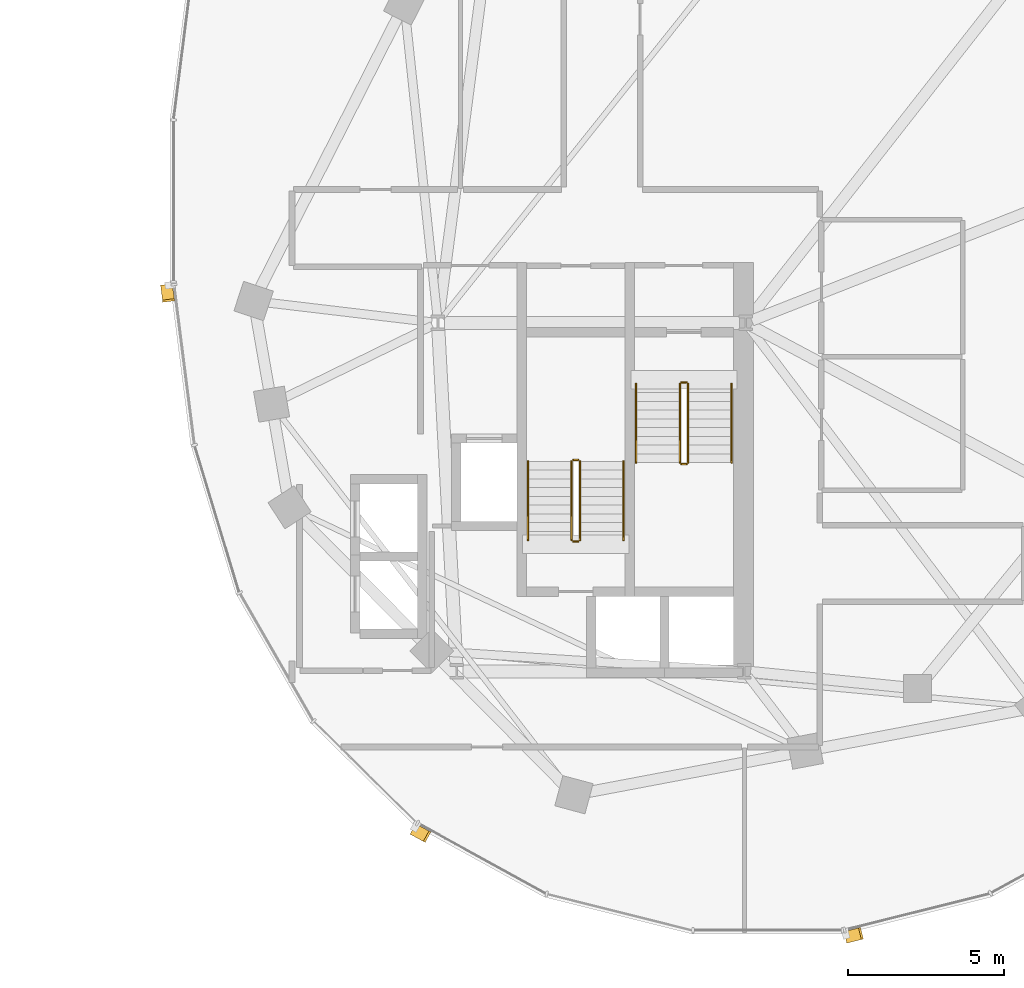
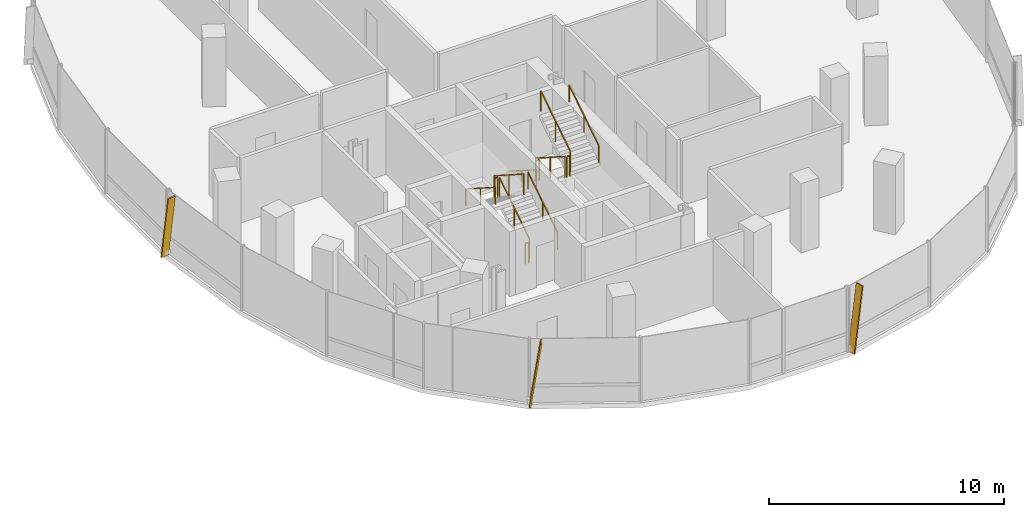
# One storey, part 20 of 21: 12 railings, 3 shading devices.
"""IFC4 building model written with IfcOpenShell, lengths in metres."""

from ifc_helpers import new_model, si_unit, direction, frame, origin, origin_2d, place, context, subcontext, project, spatial, rectangle, extrude, material, material_profile, profile_set, type_object, element, save


model = new_model("IFC4")

# Units and contexts
model_context = context("Model", 3, precision=1e-05, world=origin(), true_north=direction((0.0, 1.0)))
body_context = subcontext(model_context, "Body", "Model", "MODEL_VIEW")
ifc_project = project(units=[si_unit("LENGTHUNIT", "METRE"), si_unit("AREAUNIT", "SQUARE_METRE"), si_unit("VOLUMEUNIT", "CUBIC_METRE"), si_unit("PLANEANGLEUNIT", "RADIAN"), si_unit("MASSUNIT", "GRAM", prefix="KILO"), si_unit("THERMODYNAMICTEMPERATUREUNIT", "KELVIN"), si_unit("POWERUNIT", "WATT")], contexts=[model_context])

# Site, building, storey
site_placement = place(None, origin())
site = spatial("IfcSite", under=ifc_project, at=site_placement, CompositionType="ELEMENT")
building_placement = place(site_placement, origin())
building = spatial("IfcBuilding", under=site, at=building_placement, Name="Cundina Bronze Exchange", CompositionType="ELEMENT")
storey_placement = place(building_placement, frame((0.0, 0.0, 180.0)))
storey = spatial("IfcBuildingStorey", under=building, at=storey_placement, Name="L47", CompositionType="ELEMENT", Elevation=180.0)

# Railings
ifc_material_1 = material(Name="Steel ASTM A36 Painted", Category="steel")
railing_type_1 = type_object("IfcRailingType", Name="RLG-HND-900", PredefinedType="HANDRAIL", material=ifc_material_1)
railing_1_placement = place(storey_placement, frame((27.7900390625, -5.85009765625, 0.179931640625)))
element("IfcRailing", 1, at=railing_1_placement, inside=storey, type_object=railing_type_1, Name="L47 ST-E1 stair handrail 1", PredefinedType="HANDRAIL", context=body_context, shape_type="SweptSolid", body=[
    extrude(rectangle(XDim=0.048095703125, YDim=0.048095703125, at=origin_2d()), frame((0.0, 0.0, 0.8759765625), z_axis=(0.0, -0.841162588446, 0.540782303519), x_axis=(1.0, 0.0, 0.0)), (0.0, 0.0, 1.0), 2.995849609375),
    extrude(rectangle(XDim=0.0419921875, YDim=0.0419921875, at=origin_2d()), origin(), (0.0, 0.0, 1.0), 0.851806640625),
    extrude(rectangle(XDim=0.0419921875, YDim=0.0419921875, at=origin_2d()), frame((0.0, -1.260009765625, 0.81005859375)), (0.0, 0.0, 1.0), 0.851806640625),
    extrude(rectangle(XDim=0.0419921875, YDim=0.0419921875, at=origin_2d()), frame((0.0, -2.52001953125, 1.6201171875)), (0.0, 0.0, 1.0), 0.851806640625),
])
for number, where, name in (
    (2, (30.85009765625, -8.3701171875, 1.97998046875), "L47 ST-E1 stair handrail 2"),
    (3, (27.389892578125, -10.85009765625, 0.179931640625), "L47 ST-E2 stair handrail 1"),
):
    element("IfcRailing", number, at=place(storey_placement, frame(where)), inside=storey, type_object=railing_type_1, Name=name, PredefinedType="HANDRAIL", context=body_context, shape_type="SweptSolid", body=[
        extrude(rectangle(XDim=0.048095703125, YDim=0.048095703125, at=origin_2d()), frame((0.0, 0.0, 0.8759765625), z_axis=(0.0, 0.841162588446, 0.540782303519), x_axis=(-1.0, 0.0, 0.0)), (0.0, 0.0, 1.0), 2.995849609375),
        extrude(rectangle(XDim=0.0419921875, YDim=0.0419921875, at=origin_2d()), origin(), (0.0, 0.0, 1.0), 0.851806640625),
        extrude(rectangle(XDim=0.0419921875, YDim=0.0419921875, at=origin_2d()), frame((0.0, 1.260009765625, 0.81005859375)), (0.0, 0.0, 1.0), 0.851806640625),
        extrude(rectangle(XDim=0.0419921875, YDim=0.0419921875, at=origin_2d()), frame((0.0, 2.52001953125, 1.6201171875)), (0.0, 0.0, 1.0), 0.851806640625),
    ])
railing_2_placement = place(storey_placement, frame((24.330078125, -8.330078125, 1.97998046875)))
element("IfcRailing", 4, at=railing_2_placement, inside=storey, type_object=railing_type_1, Name="L47 ST-E2 stair handrail 2", PredefinedType="HANDRAIL", context=body_context, shape_type="SweptSolid", body=[
    extrude(rectangle(XDim=0.048095703125, YDim=0.048095703125, at=origin_2d()), frame((0.0, 0.0, 0.8759765625), z_axis=(0.0, -0.841162588446, 0.540782303519), x_axis=(1.0, 0.0, 0.0)), (0.0, 0.0, 1.0), 2.995849609375),
    extrude(rectangle(XDim=0.0419921875, YDim=0.0419921875, at=origin_2d()), origin(), (0.0, 0.0, 1.0), 0.851806640625),
    extrude(rectangle(XDim=0.0419921875, YDim=0.0419921875, at=origin_2d()), frame((0.0, -1.260009765625, 0.81005859375)), (0.0, 0.0, 1.0), 0.851806640625),
    extrude(rectangle(XDim=0.0419921875, YDim=0.0419921875, at=origin_2d()), frame((0.0, -2.52001953125, 1.6201171875)), (0.0, 0.0, 1.0), 0.851806640625),
])
railing_type_2 = type_object("IfcRailingType", Name="RLG-STG-1100", PredefinedType="GUARDRAIL", material=ifc_material_1)
railing_3_placement = place(storey_placement, frame((29.18994140625, -5.85009765625, 0.179931640625)))
element("IfcRailing", 5, at=railing_3_placement, inside=storey, type_object=railing_type_2, Name="L47 ST-E1 stair guard 1", PredefinedType="GUARDRAIL", context=body_context, shape_type="SweptSolid", body=[
    extrude(rectangle(XDim=0.048095703125, YDim=0.048095703125, at=origin_2d()), frame((0.0, 0.0, 1.076171875), z_axis=(0.0, -0.841162588446, 0.540782303519), x_axis=(1.0, 0.0, 0.0)), (0.0, 0.0, 1.0), 2.995849609375),
    extrude(rectangle(XDim=0.0419921875, YDim=0.0419921875, at=origin_2d()), origin(), (0.0, 0.0, 1.0), 1.052001953125),
    extrude(rectangle(XDim=0.0419921875, YDim=0.0419921875, at=origin_2d()), frame((0.0, -1.260009765625, 0.81005859375)), (0.0, 0.0, 1.0), 1.052001953125),
    extrude(rectangle(XDim=0.0419921875, YDim=0.0419921875, at=origin_2d()), frame((0.0, -2.52001953125, 1.6201171875)), (0.0, 0.0, 1.0), 1.052001953125),
])
railing_4_placement = place(storey_placement, frame((29.239990234375, -8.419921875, 1.800048828125)))
element("IfcRailing", 6, at=railing_4_placement, inside=storey, type_object=railing_type_2, Name="L47 ST-E1 stair guard 2", PredefinedType="GUARDRAIL", context=body_context, shape_type="SweptSolid", body=[
    extrude(rectangle(XDim=0.048095703125, YDim=0.048095703125, at=origin_2d()), frame((0.0, 0.0, 1.076171875), z_axis=(1.0, 0.0, 0.0), x_axis=(0.0, 1.0, 0.0)), (0.0, 0.0, 1.0), 0.159912109375),
    extrude(rectangle(XDim=0.0419921875, YDim=0.0419921875, at=origin_2d()), origin(), (0.0, 0.0, 1.0), 1.052001953125),
    extrude(rectangle(XDim=0.0419921875, YDim=0.0419921875, at=origin_2d()), frame((0.159912109375, 0.0, 0.0)), (0.0, 0.0, 1.0), 1.052001953125),
])
railing_5_placement = place(storey_placement, frame((29.449951171875, -8.3701171875, 1.97998046875)))
element("IfcRailing", 7, at=railing_5_placement, inside=storey, type_object=railing_type_2, Name="L47 ST-E1 stair guard 3", PredefinedType="GUARDRAIL", context=body_context, shape_type="SweptSolid", body=[
    extrude(rectangle(XDim=0.048095703125, YDim=0.048095703125, at=origin_2d()), frame((0.0, 0.0, 1.076171875), z_axis=(0.0, 0.841162588446, 0.540782303519), x_axis=(-1.0, 0.0, 0.0)), (0.0, 0.0, 1.0), 2.995849609375),
    extrude(rectangle(XDim=0.0419921875, YDim=0.0419921875, at=origin_2d()), origin(), (0.0, 0.0, 1.0), 1.052001953125),
    extrude(rectangle(XDim=0.0419921875, YDim=0.0419921875, at=origin_2d()), frame((0.0, 1.260009765625, 0.81005859375)), (0.0, 0.0, 1.0), 1.052001953125),
    extrude(rectangle(XDim=0.0419921875, YDim=0.0419921875, at=origin_2d()), frame((0.0, 2.52001953125, 1.6201171875)), (0.0, 0.0, 1.0), 1.052001953125),
])
railing_6_placement = place(storey_placement, frame((29.239990234375, -5.800048828125, 0.0)))
element("IfcRailing", 8, at=railing_6_placement, inside=storey, type_object=railing_type_2, Name="L47 ST-E1 stair guard 4", PredefinedType="GUARDRAIL", context=body_context, shape_type="SweptSolid", body=[
    extrude(rectangle(XDim=0.048095703125, YDim=0.048095703125, at=origin_2d()), frame((0.0, 0.0, 1.076171875), z_axis=(1.0, 0.0, 0.0), x_axis=(0.0, 1.0, 0.0)), (0.0, 0.0, 1.0), 0.159912109375),
    extrude(rectangle(XDim=0.0419921875, YDim=0.0419921875, at=origin_2d()), origin(), (0.0, 0.0, 1.0), 1.052001953125),
    extrude(rectangle(XDim=0.0419921875, YDim=0.0419921875, at=origin_2d()), frame((0.159912109375, 0.0, 0.0)), (0.0, 0.0, 1.0), 1.052001953125),
])
railing_7_placement = place(storey_placement, frame((25.989990234375, -10.85009765625, 0.179931640625)))
element("IfcRailing", 9, at=railing_7_placement, inside=storey, type_object=railing_type_2, Name="L47 ST-E2 stair guard 1", PredefinedType="GUARDRAIL", context=body_context, shape_type="SweptSolid", body=[
    extrude(rectangle(XDim=0.048095703125, YDim=0.048095703125, at=origin_2d()), frame((0.0, 0.0, 1.076171875), z_axis=(0.0, 0.841162588446, 0.540782303519), x_axis=(-1.0, 0.0, 0.0)), (0.0, 0.0, 1.0), 2.995849609375),
    extrude(rectangle(XDim=0.0419921875, YDim=0.0419921875, at=origin_2d()), origin(), (0.0, 0.0, 1.0), 1.052001953125),
    extrude(rectangle(XDim=0.0419921875, YDim=0.0419921875, at=origin_2d()), frame((0.0, 1.260009765625, 0.81005859375)), (0.0, 0.0, 1.0), 1.052001953125),
    extrude(rectangle(XDim=0.0419921875, YDim=0.0419921875, at=origin_2d()), frame((0.0, 2.52001953125, 1.6201171875)), (0.0, 0.0, 1.0), 1.052001953125),
])
railing_8_placement = place(storey_placement, frame((25.93994140625, -8.280029296875, 1.800048828125)))
element("IfcRailing", 10, at=railing_8_placement, inside=storey, type_object=railing_type_2, Name="L47 ST-E2 stair guard 2", PredefinedType="GUARDRAIL", context=body_context, shape_type="SweptSolid", body=[
    extrude(rectangle(XDim=0.048095703125, YDim=0.048095703125, at=origin_2d()), frame((0.0, 0.0, 1.076171875), z_axis=(-1.0, 0.0, 0.0), x_axis=(0.0, -1.0, 0.0)), (0.0, 0.0, 1.0), 0.159912109375),
    extrude(rectangle(XDim=0.0419921875, YDim=0.0419921875, at=origin_2d()), origin(), (0.0, 0.0, 1.0), 1.052001953125),
    extrude(rectangle(XDim=0.0419921875, YDim=0.0419921875, at=origin_2d()), frame((-0.159912109375, 0.0, 0.0)), (0.0, 0.0, 1.0), 1.052001953125),
])
railing_9_placement = place(storey_placement, frame((25.72998046875, -8.330078125, 1.97998046875)))
element("IfcRailing", 11, at=railing_9_placement, inside=storey, type_object=railing_type_2, Name="L47 ST-E2 stair guard 3", PredefinedType="GUARDRAIL", context=body_context, shape_type="SweptSolid", body=[
    extrude(rectangle(XDim=0.048095703125, YDim=0.048095703125, at=origin_2d()), frame((0.0, 0.0, 1.076171875), z_axis=(0.0, -0.841162588446, 0.540782303519), x_axis=(1.0, 0.0, 0.0)), (0.0, 0.0, 1.0), 2.995849609375),
    extrude(rectangle(XDim=0.0419921875, YDim=0.0419921875, at=origin_2d()), origin(), (0.0, 0.0, 1.0), 1.052001953125),
    extrude(rectangle(XDim=0.0419921875, YDim=0.0419921875, at=origin_2d()), frame((0.0, -1.260009765625, 0.81005859375)), (0.0, 0.0, 1.0), 1.052001953125),
    extrude(rectangle(XDim=0.0419921875, YDim=0.0419921875, at=origin_2d()), frame((0.0, -2.52001953125, 1.6201171875)), (0.0, 0.0, 1.0), 1.052001953125),
])
railing_10_placement = place(storey_placement, frame((25.93994140625, -10.89990234375, 0.0)))
element("IfcRailing", 12, at=railing_10_placement, inside=storey, type_object=railing_type_2, Name="L47 ST-E2 stair guard 4", PredefinedType="GUARDRAIL", context=body_context, shape_type="SweptSolid", body=[
    extrude(rectangle(XDim=0.048095703125, YDim=0.048095703125, at=origin_2d()), frame((0.0, 0.0, 1.076171875), z_axis=(-1.0, 0.0, 0.0), x_axis=(0.0, -1.0, 0.0)), (0.0, 0.0, 1.0), 0.159912109375),
    extrude(rectangle(XDim=0.0419921875, YDim=0.0419921875, at=origin_2d()), origin(), (0.0, 0.0, 1.0), 1.052001953125),
    extrude(rectangle(XDim=0.0419921875, YDim=0.0419921875, at=origin_2d()), frame((-0.159912109375, 0.0, 0.0)), (0.0, 0.0, 1.0), 1.052001953125),
])

# Shading devices
ifc_material_2 = material(Name="Anodised Bronze Aluminium 6063-T6", Category="aluminium")
ifc_material_profile = material_profile(ifc_material_2, rectangle(XDim=0.070068359375, YDim=0.3798828125, at=origin_2d()), Name="FIN70X380", Category="aluminium")
ifc_profile_set = profile_set([ifc_material_profile], Name="Anodised Bronze Aluminium 6063-T6")
shading_device_type = type_object("IfcShadingDeviceType", Name="SHD-FIN-BRZ380", PredefinedType="USERDEFINED", material=ifc_profile_set)
for number, where, z_axis, x_axis, name in (
    (13, (12.76513671875, -2.705810546875, 0.02001953125), (0.018121805099, -0.141917750773, 0.989712560391), (-0.125360789044, 0.981741119016, 0.143070080046), "L47 Diagonal Bronze Solar Fin 1"),
    (14, (20.679931640625, -20.11181640625, 0.02001953125), (0.125324460949, -0.068993954111, 0.989713905017), (-0.867011652888, 0.477309551067, 0.143060778049), "L47 Diagonal Bronze Solar Fin 5"),
    (15, (34.51953125, -23.556396484375, 0.02001953125), (0.138788401144, 0.034715294885, 0.989713407007), (-0.960133415413, -0.240159223467, 0.14306422331), "L47 Diagonal Bronze Solar Fin 1"),
):
    element("IfcShadingDevice", number, at=place(storey_placement, frame(where, z_axis=z_axis, x_axis=x_axis)), inside=storey, type_object=shading_device_type, Name=name, ObjectType="FIN", PredefinedType="USERDEFINED", context=body_context, shape_type="SweptSolid", body=[
        extrude(rectangle(XDim=0.070068359375, YDim=0.3798828125, at=origin_2d()), origin(), (0.0, 0.0, 1.0), 3.3544921875),
    ])

save(model, "model.ifc")
